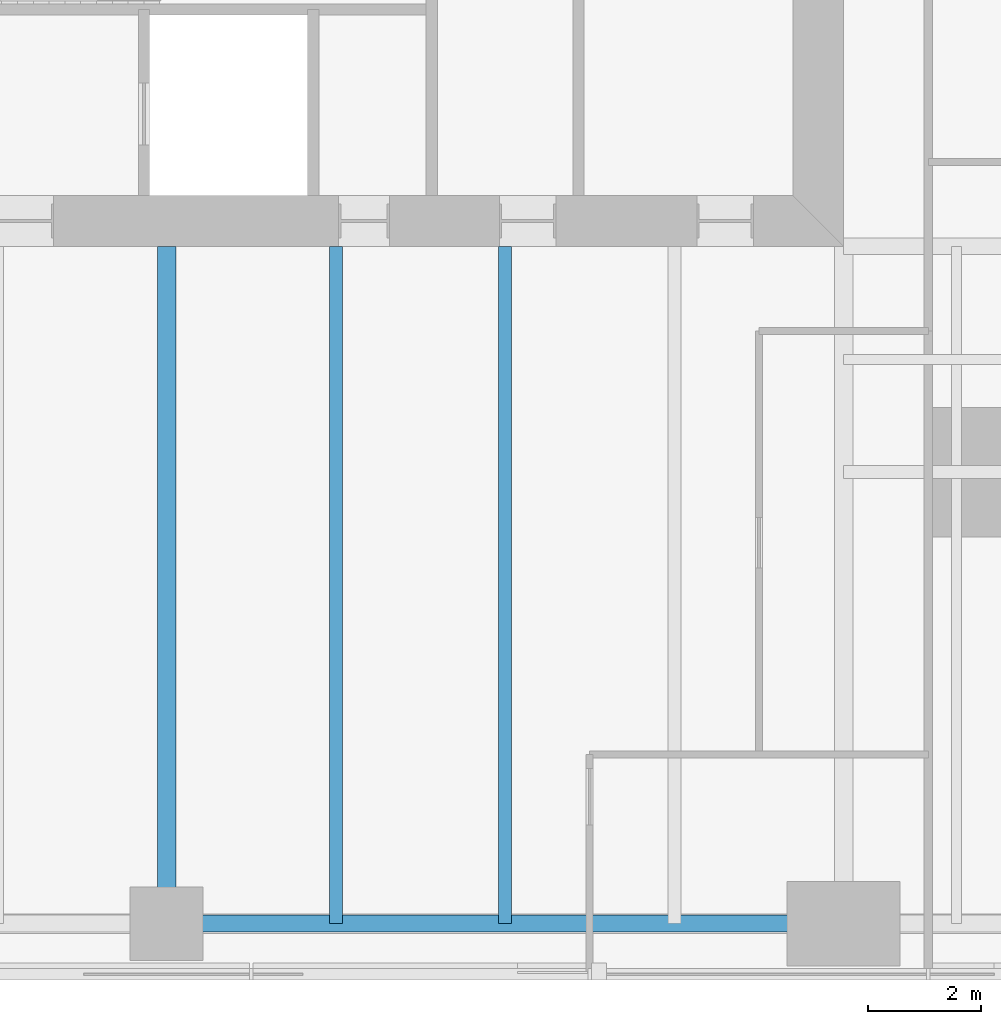
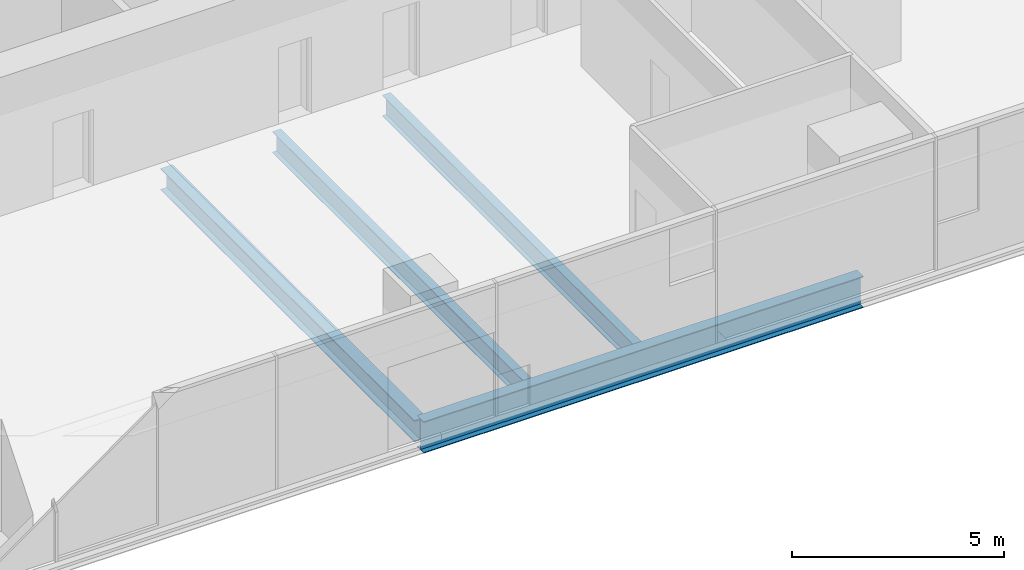
# One storey, part 3 of 13: 4 beams.
"""IFC4 building model written with IfcOpenShell, lengths in metres."""

from ifc_helpers import new_model, si_unit, direction, frame, origin, origin_2d, place, context, subcontext, project, spatial, i_section, extrude, material, material_profile, profile_set, type_object, element, save


model = new_model("IFC4")

# Units and contexts
model_context = context("Model", 3, precision=1e-05, world=origin(), true_north=direction((0.0, 1.0)))
body_context = subcontext(model_context, "Body", "Model", "MODEL_VIEW")
ifc_project = project(units=[si_unit("LENGTHUNIT", "METRE"), si_unit("AREAUNIT", "SQUARE_METRE"), si_unit("VOLUMEUNIT", "CUBIC_METRE"), si_unit("PLANEANGLEUNIT", "RADIAN"), si_unit("MASSUNIT", "GRAM", prefix="KILO")], contexts=[model_context])

# Site, building, storey
site_placement = place(None, origin())
site = spatial("IfcSite", under=ifc_project, at=site_placement, CompositionType="ELEMENT")
building_placement = place(site_placement, origin())
building = spatial("IfcBuilding", under=site, at=building_placement, Name="Fenwick Lantern Interchange", CompositionType="ELEMENT")
storey_placement = place(building_placement, frame((0.0, 0.0, 138.39990234375)))
storey = spatial("IfcBuildingStorey", under=building, at=storey_placement, Name="L32", CompositionType="ELEMENT", Elevation=138.39990234375)

# Beams
ifc_material = material(Name="Steel ASTM A992 Grade 50", Category="steel")
ifc_material_profile_1 = material_profile(ifc_material, i_section(OverallWidth=0.3046875, OverallDepth=0.911865234375, WebThickness=0.015869140625, FlangeThickness=0.02392578125, at=origin_2d()), Name="W36X150")
ifc_profile_set_1 = profile_set([ifc_material_profile_1], Name="Steel ASTM A992 Grade 50")
beam_type_1 = type_object("IfcBeamType", Name="EDGE BEAM W36X150", PredefinedType="SPANDREL", material=ifc_profile_set_1)
beam_1_placement = place(storey_placement, frame((25.0, 1.0, -0.605712890625), z_axis=(1.0, 0.0, 0.0), x_axis=(0.0, 1.0, 0.0)))
element("IfcBeam", 1, at=beam_1_placement, inside=storey, type_object=beam_type_1, Name="L32/FR/S/EB3", PredefinedType="SPANDREL", context=body_context, shape_type="SweptSolid", body=[
    extrude(i_section(OverallWidth=0.3046875, OverallDepth=0.911865234375, WebThickness=0.015869140625, FlangeThickness=0.02392578125, at=origin_2d()), origin(), (0.0, 0.0, 1.0), 12.0),
])
ifc_material_profile_2 = material_profile(ifc_material, i_section(OverallWidth=0.22900390625, OverallDepth=0.612060546875, WebThickness=0.011962890625, FlangeThickness=0.01953125, at=origin_2d()), Name="W24X84")
ifc_profile_set_2 = profile_set([ifc_material_profile_2], Name="Steel ASTM A992 Grade 50")
beam_type_2 = type_object("IfcBeamType", Name="FLOOR BEAM W24X84", PredefinedType="BEAM", material=ifc_profile_set_2)
for number, where, z_axis, x_axis, name in (
    (2, (28.0, 1.0, -0.4560546875), (0.0, 1.0, 0.0), (-1.0, 0.0, 0.0), "L32/FR/S/R06"),
    (3, (31.0, 1.0, -0.4560546875), (0.0, 1.0, 0.0), (-1.0, 0.0, 0.0), "L32/FR/S/R07"),
):
    element("IfcBeam", number, at=place(storey_placement, frame(where, z_axis=z_axis, x_axis=x_axis)), inside=storey, type_object=beam_type_2, Name=name, PredefinedType="BEAM", context=body_context, shape_type="SweptSolid", body=[
        extrude(i_section(OverallWidth=0.22900390625, OverallDepth=0.612060546875, WebThickness=0.011962890625, FlangeThickness=0.01953125, at=origin_2d()), origin(), (0.0, 0.0, 1.0), 12.0),
    ])
ifc_material_profile_3 = material_profile(ifc_material, i_section(OverallWidth=0.32763671875, OverallDepth=0.622314453125, WebThickness=0.015380859375, FlangeThickness=0.0244140625, at=origin_2d()), Name="W24X131")
ifc_profile_set_3 = profile_set([ifc_material_profile_3], Name="Steel ASTM A992 Grade 50")
beam_type_3 = type_object("IfcBeamType", Name="MOMENT-CONNECTED GIRDER W24X131", PredefinedType="BEAM", material=ifc_profile_set_3)
beam_2_placement = place(storey_placement, frame((25.0, 1.0, -0.4609375), z_axis=(0.0, 1.0, 0.0), x_axis=(-1.0, 0.0, 0.0)))
element("IfcBeam", 4, at=beam_2_placement, inside=storey, type_object=beam_type_3, Name="L32/FR/S/R05", PredefinedType="BEAM", context=body_context, shape_type="SweptSolid", body=[
    extrude(i_section(OverallWidth=0.32763671875, OverallDepth=0.622314453125, WebThickness=0.015380859375, FlangeThickness=0.0244140625, at=origin_2d()), origin(), (0.0, 0.0, 1.0), 12.0),
])

save(model, "model.ifc")
